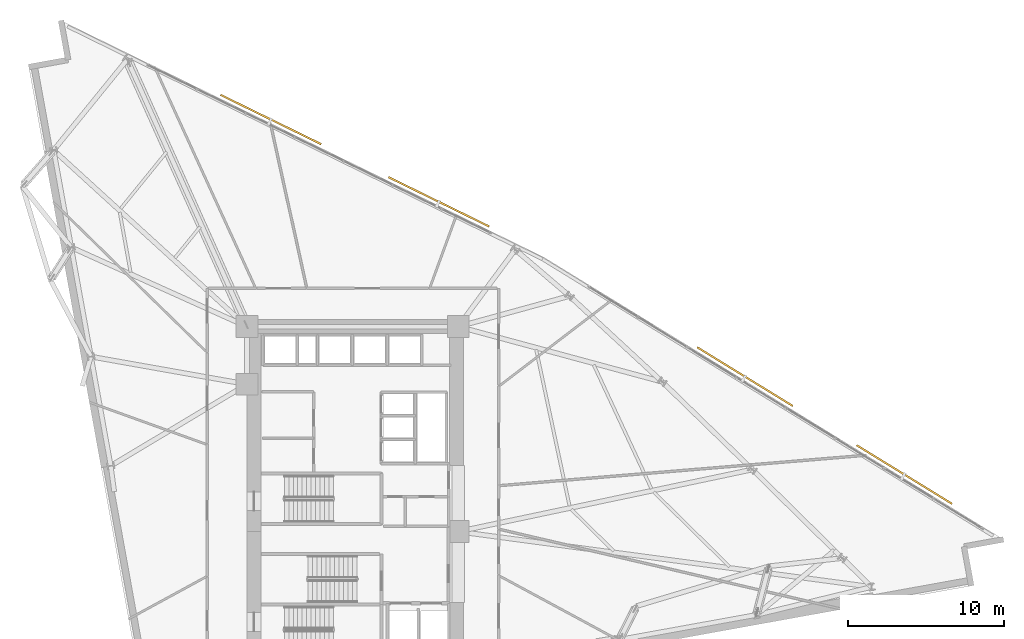
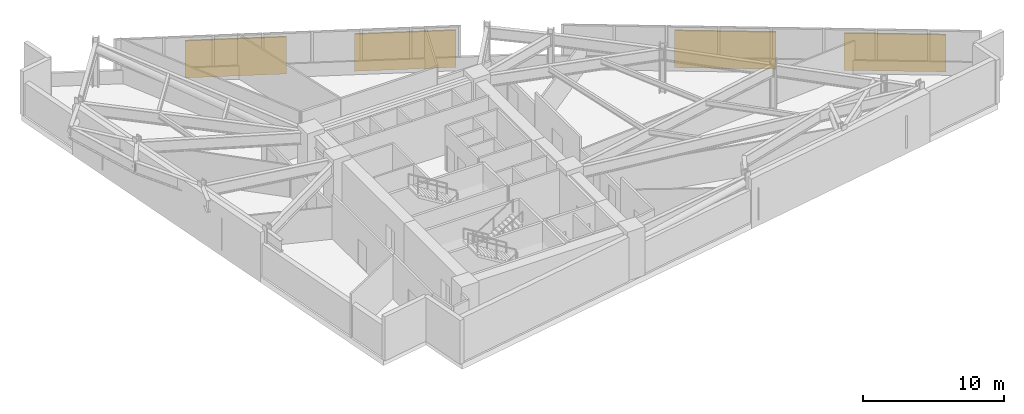
# One storey, part 19 of 19: 4 shading devices.
"""IFC4 building model written with IfcOpenShell, lengths in metres."""

from ifc_helpers import new_model, si_unit, direction, frame, origin, origin_2d, place, context, subcontext, project, spatial, rectangle, extrude, material, layer, layer_set, type_object, element, save


model = new_model("IFC4")

# Units and contexts
model_context = context("Model", 3, precision=1e-05, world=origin(), true_north=direction((0.0, 1.0)))
body_context = subcontext(model_context, "Body", "Model", "MODEL_VIEW")
ifc_project = project(units=[si_unit("LENGTHUNIT", "METRE"), si_unit("AREAUNIT", "SQUARE_METRE"), si_unit("VOLUMEUNIT", "CUBIC_METRE"), si_unit("PLANEANGLEUNIT", "RADIAN"), si_unit("MASSUNIT", "GRAM", prefix="KILO")], contexts=[model_context])

# Site, building, storey
site_placement = place(None, origin())
site = spatial("IfcSite", under=ifc_project, at=site_placement, CompositionType="ELEMENT")
building_placement = place(site_placement, origin())
building = spatial("IfcBuilding", under=site, at=building_placement, Name="Narakoshi Arena Tower", CompositionType="ELEMENT")
storey_placement = place(building_placement, frame((0.0, 0.0, 128.10009765625)))
storey = spatial("IfcBuildingStorey", under=building, at=storey_placement, Name="L34", CompositionType="ELEMENT", Elevation=128.10009765625)

# Shading devices
ifc_material = material(Name="Anodised bronze aluminium 6063-T6", Category="aluminium")
ifc_layer = layer(ifc_material, 0.1201171875)
ifc_layer_set = layer_set([ifc_layer], Name="Anodised bronze aluminium 6063-T6")
shading_device_type = type_object("IfcShadingDeviceType", Name="SHD-LVR-PLT", PredefinedType="JALOUSIE", material=ifc_layer_set)
for number, where, z_axis, x_axis, name in (
    (1, (114.174560546875, 47.01123046875, 0.0), (0.0, 0.0, 1.0), (-0.852110807003, 0.523361416794, 0.0), "L34 Outrigger Plant Louvre Bank 1-1"),
    (2, (103.94921875, 53.29150390625, 0.0), (0.0, 0.0, 1.0), (-0.852110807003, 0.523361416794, 0.0), "L34 Outrigger Plant Louvre Bank 1-2"),
    (3, (84.306884765625, 64.5068359375, 0.0), (0.0, 0.0, 1.0), (-0.897996860024, 0.440001862936, 0.0), "L34 Outrigger Plant Louvre Bank 2-1"),
    (4, (73.531005859375, 69.786865234375, 0.0), (0.0, 0.0, 1.0), (-0.897996860024, 0.440001862936, 0.0), "L34 Outrigger Plant Louvre Bank 2-2"),
):
    element("IfcShadingDevice", number, at=place(storey_placement, frame(where, z_axis=z_axis, x_axis=x_axis)), inside=storey, type_object=shading_device_type, Name=name, PredefinedType="JALOUSIE", context=body_context, shape_type="SweptSolid", body=[
        extrude(rectangle(XDim=7.199951171875, YDim=0.1201171875, at=origin_2d()), origin(), (0.0, 0.0, 1.0), 3.199951171875),
    ])

save(model, "model.ifc")
